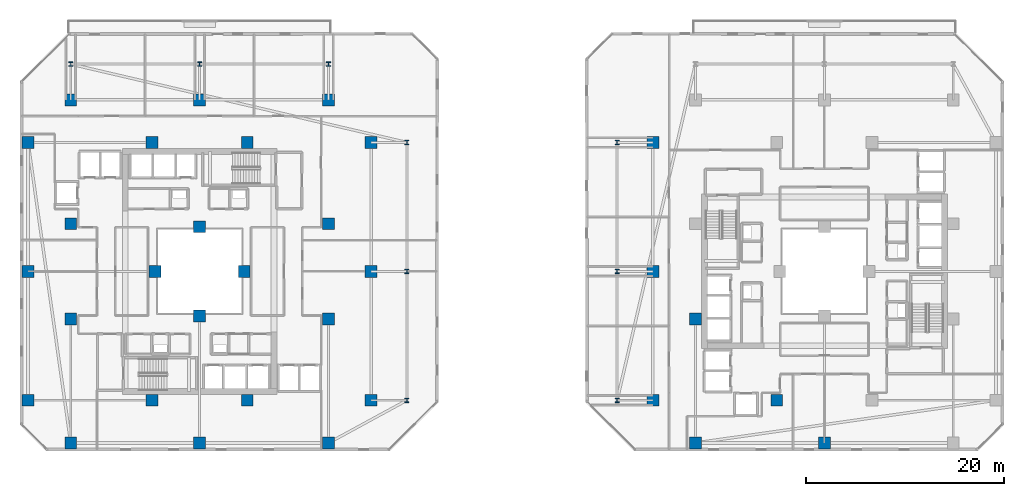
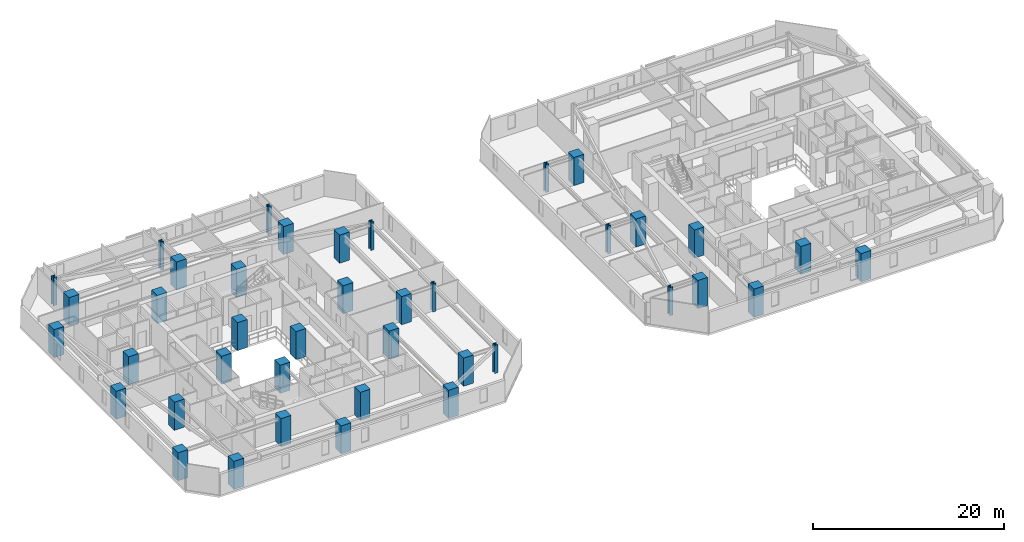
# One storey, part 1 of 31: 40 columns.
"""IFC4 building model written with IfcOpenShell, lengths in metres."""

from ifc_helpers import new_model, si_unit, direction, frame, origin, origin_2d, place, context, subcontext, project, spatial, rectangle, i_section, extrude, material, material_profile, profile_set, type_object, element, save


model = new_model("IFC4")

# Units and contexts
model_context = context("Model", 3, precision=1e-05, world=origin(), true_north=direction((0.0, 1.0)))
body_context = subcontext(model_context, "Body", "Model", "MODEL_VIEW")
ifc_project = project(units=[si_unit("LENGTHUNIT", "METRE"), si_unit("AREAUNIT", "SQUARE_METRE"), si_unit("VOLUMEUNIT", "CUBIC_METRE"), si_unit("PLANEANGLEUNIT", "RADIAN"), si_unit("MASSUNIT", "GRAM", prefix="KILO")], contexts=[model_context])

# Site, building, storey
site_placement = place(None, origin())
site = spatial("IfcSite", under=ifc_project, at=site_placement, CompositionType="ELEMENT")
building_placement = place(site_placement, origin())
building = spatial("IfcBuilding", under=site, at=building_placement, Name="Thornwick Lancets Civic Towers", CompositionType="ELEMENT")
storey_placement = place(building_placement, frame((0.0, 0.0, 90.89990234375)))
storey = spatial("IfcBuildingStorey", under=building, at=storey_placement, Name="L23", CompositionType="ELEMENT", Elevation=90.89990234375)

# Columns
ifc_material_1 = material(Name="Concrete C60/75", Category="concrete")
ifc_material_profile_1 = material_profile(ifc_material_1, rectangle(XDim=1.199951171875, YDim=1.199951171875, at=origin_2d()), Name="RC 1200x1200")
ifc_profile_set_1 = profile_set([ifc_material_profile_1], Name="Concrete C60/75")
column_type_1 = type_object("IfcColumnType", Name="COL_RC_1200", PredefinedType="COLUMN", material=ifc_profile_set_1)
for number, where, z_axis, x_axis, name in (
    (1, (12.5, 9.699951171875, 0.0), (0.0, 0.0, 1.0), (1.0, 0.0, 0.0), "L23 Spine Mega-Column A01"),
    (2, (25.5, 9.699951171875, 0.0), (0.0, 0.0, 1.0), (1.0, 0.0, 0.0), "L23 Spine Mega-Column A02"),
    (3, (38.5, 9.699951171875, 0.0), (0.0, 0.0, 1.0), (1.0, 0.0, 0.0), "L23 Spine Mega-Column A03"),
    (4, (42.800048828125, 14.0, 0.0), (0.0, 0.0, 1.0), (1.0, 0.0, 0.0), "L23 Spine Mega-Column A04"),
    (5, (42.800048828125, 27.0, 0.0), (0.0, 0.0, 1.0), (1.0, 0.0, 0.0), "L23 Spine Mega-Column A05"),
    (6, (42.800048828125, 40.0, 0.0), (0.0, 0.0, 1.0), (1.0, 0.0, 0.0), "L23 Spine Mega-Column A06"),
    (7, (12.5, 44.300048828125, 0.0), (0.0, 0.0, 1.0), (1.0, 0.0, 0.0), "L23 Spine Mega-Column A07"),
    (8, (25.5, 44.300048828125, 0.0), (0.0, 0.0, 1.0), (1.0, 0.0, 0.0), "L23 Spine Mega-Column A08"),
    (9, (38.5, 44.300048828125, 0.0), (0.0, 0.0, 1.0), (1.0, 0.0, 0.0), "L23 Spine Mega-Column A09"),
    (10, (8.199951171875, 14.0, 0.0), (0.0, 0.0, 1.0), (1.0, 0.0, 0.0), "L23 Spine Mega-Column A10"),
    (11, (8.199951171875, 27.0, 0.0), (0.0, 0.0, 1.0), (1.0, 0.0, 0.0), "L23 Spine Mega-Column A11"),
    (12, (8.199951171875, 40.0, 0.0), (0.0, 0.0, 1.0), (1.0, 0.0, 0.0), "L23 Spine Mega-Column A12"),
    (13, (12.5, 22.199951171875, 0.0), (0.0, 0.0, 1.0), (1.0, 0.0, 0.0), "L23 Spine Mega-Column A13"),
    (14, (38.5, 22.199951171875, 0.0), (0.0, 0.0, 1.0), (1.0, 0.0, 0.0), "L23 Spine Mega-Column A14"),
    (15, (12.5, 31.800048828125, 0.0), (0.0, 0.0, 1.0), (1.0, 0.0, 0.0), "L23 Spine Mega-Column A15"),
    (16, (38.5, 31.800048828125, 0.0), (0.0, 0.0, 1.0), (1.0, 0.0, 0.0), "L23 Spine Mega-Column A16"),
    (17, (20.699951171875, 14.0, 0.0), (0.0, 0.0, 1.0), (1.0, 0.0, 0.0), "L23 Spine Mega-Column A17"),
    (18, (30.300048828125, 14.0, 0.0), (0.0, 0.0, 1.0), (1.0, 0.0, 0.0), "L23 Spine Mega-Column A18"),
    (19, (20.699951171875, 40.0, 0.0), (0.0, 0.0, 1.0), (1.0, 0.0, 0.0), "L23 Spine Mega-Column A19"),
    (20, (30.300048828125, 40.0, 0.0), (0.0, 0.0, 1.0), (1.0, 0.0, 0.0), "L23 Spine Mega-Column A20"),
    (21, (25.5, 22.5, 0.0), (0.0, 0.0, 1.0), (1.0, 0.0, 0.0), "L23 Spine Mega-Column A21"),
    (22, (25.5, 31.5, 0.0), (0.0, 0.0, 1.0), (1.0, 0.0, 0.0), "L23 Spine Mega-Column A22"),
    (23, (21.0, 27.0, 0.0), (0.0, 0.0, 1.0), (1.0, 0.0, 0.0), "L23 Spine Mega-Column A23"),
    (24, (30.0, 27.0, 0.0), (0.0, 0.0, 1.0), (1.0, 0.0, 0.0), "L23 Spine Mega-Column A24"),
    (25, (71.199951171875, 14.0, 0.0), (0.0, 0.0, 1.0), (1.0, 0.0, 0.0), "L23 Spine Mega-Column B07"),
    (26, (71.199951171875, 27.0, 0.0), (0.0, 0.0, 1.0), (1.0, 0.0, 0.0), "L23 Spine Mega-Column B08"),
    (27, (71.199951171875, 40.0, 0.0), (0.0, 0.0, 1.0), (1.0, 0.0, 0.0), "L23 Spine Mega-Column B09"),
    (28, (88.5, 9.699951171875, 0.0), (0.0, 0.0, 1.0), (1.0, 0.0, 0.0), "L23 Spine Mega-Column B11"),
    (29, (75.5, 9.699951171875, 0.0), (0.0, 0.0, 1.0), (1.0, 0.0, 0.0), "L23 Spine Mega-Column B12"),
    (30, (83.699951171875, 14.0, 0.0), (0.0, 0.0, 1.0), (1.0, 0.0, 0.0), "L23 Spine Mega-Column B15"),
    (31, (75.5, 22.199951171875, 0.0), (0.0, 0.0, 1.0), (1.0, 0.0, 0.0), "L23 Spine Mega-Column B19"),
):
    element("IfcColumn", number, at=place(storey_placement, frame(where, z_axis=z_axis, x_axis=x_axis)), inside=storey, type_object=column_type_1, Name=name, PredefinedType="COLUMN", context=body_context, shape_type="SweptSolid", body=[
        extrude(rectangle(XDim=1.199951171875, YDim=1.199951171875, at=origin_2d()), origin(), (0.0, 0.0, 1.0), 3.60009765625),
    ])
ifc_material_2 = material(Name="Steel S460M", Category="steel")
ifc_material_profile_2 = material_profile(ifc_material_2, i_section(OverallWidth=0.41845703125, OverallDepth=0.45556640625, WebThickness=0.0419921875, FlangeThickness=0.0673828125, FilletRadius=0.01513671875, at=origin_2d()), Name="UKC 356x406x551")
ifc_profile_set_2 = profile_set([ifc_material_profile_2], Name="Steel S460M")
column_type_2 = type_object("IfcColumnType", Name="COL_UKC_551", PredefinedType="COLUMN", material=ifc_profile_set_2)
for number, where, z_axis, x_axis, name in (
    (32, (46.39990234375, 14.0, 0.0), (0.0, 0.0, 1.0), (1.0, 0.0, 0.0), "L23 Block Perimeter Column A04"),
    (33, (46.39990234375, 27.0, 0.0), (0.0, 0.0, 1.0), (1.0, 0.0, 0.0), "L23 Block Perimeter Column A05"),
    (34, (46.39990234375, 40.0, 0.0), (0.0, 0.0, 1.0), (1.0, 0.0, 0.0), "L23 Block Perimeter Column A06"),
    (35, (12.5, 47.89990234375, 0.0), (0.0, 0.0, 1.0), (1.0, 0.0, 0.0), "L23 Block Perimeter Column A07"),
    (36, (25.5, 47.89990234375, 0.0), (0.0, 0.0, 1.0), (1.0, 0.0, 0.0), "L23 Block Perimeter Column A08"),
    (37, (38.5, 47.89990234375, 0.0), (0.0, 0.0, 1.0), (1.0, 0.0, 0.0), "L23 Block Perimeter Column A09"),
    (38, (67.60009765625, 14.0, 0.0), (0.0, 0.0, 1.0), (1.0, 0.0, 0.0), "L23 Block Perimeter Column B07"),
    (39, (67.60009765625, 27.0, 0.0), (0.0, 0.0, 1.0), (1.0, 0.0, 0.0), "L23 Block Perimeter Column B08"),
    (40, (67.60009765625, 40.0, 0.0), (0.0, 0.0, 1.0), (1.0, 0.0, 0.0), "L23 Block Perimeter Column B09"),
):
    element("IfcColumn", number, at=place(storey_placement, frame(where, z_axis=z_axis, x_axis=x_axis)), inside=storey, type_object=column_type_2, Name=name, PredefinedType="COLUMN", context=body_context, shape_type="SweptSolid", body=[
        extrude(i_section(OverallWidth=0.41845703125, OverallDepth=0.45556640625, WebThickness=0.0419921875, FlangeThickness=0.0673828125, FilletRadius=0.01513671875, at=origin_2d()), origin(), (0.0, 0.0, 1.0), 3.60009765625),
    ])

save(model, "model.ifc")
